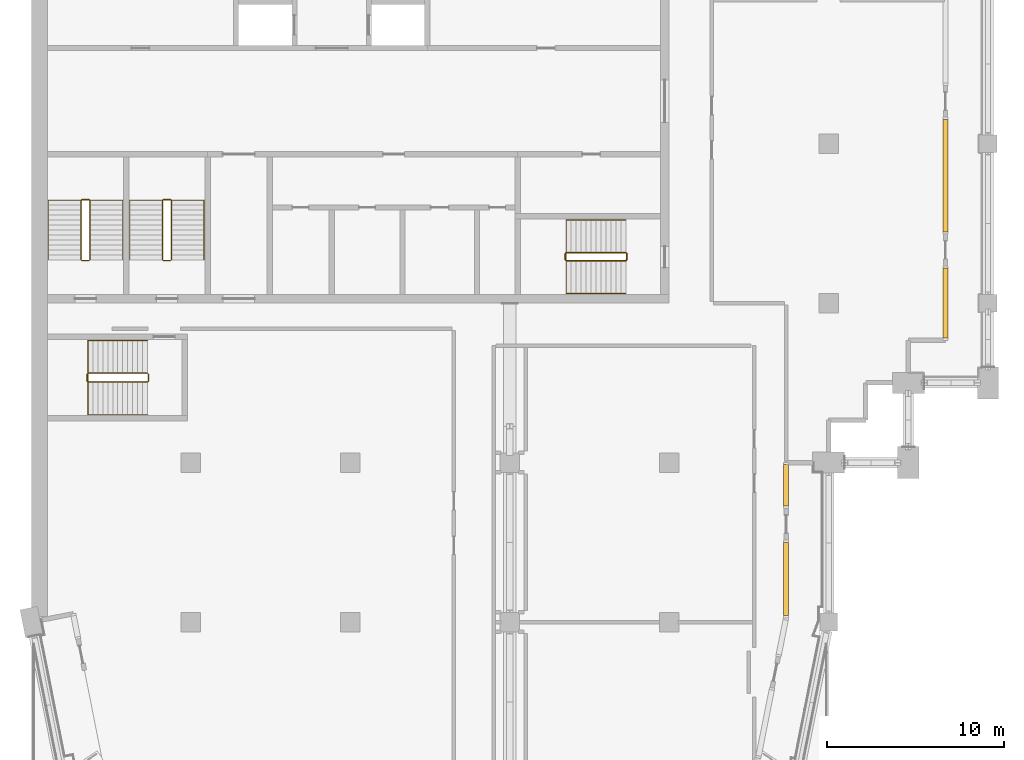
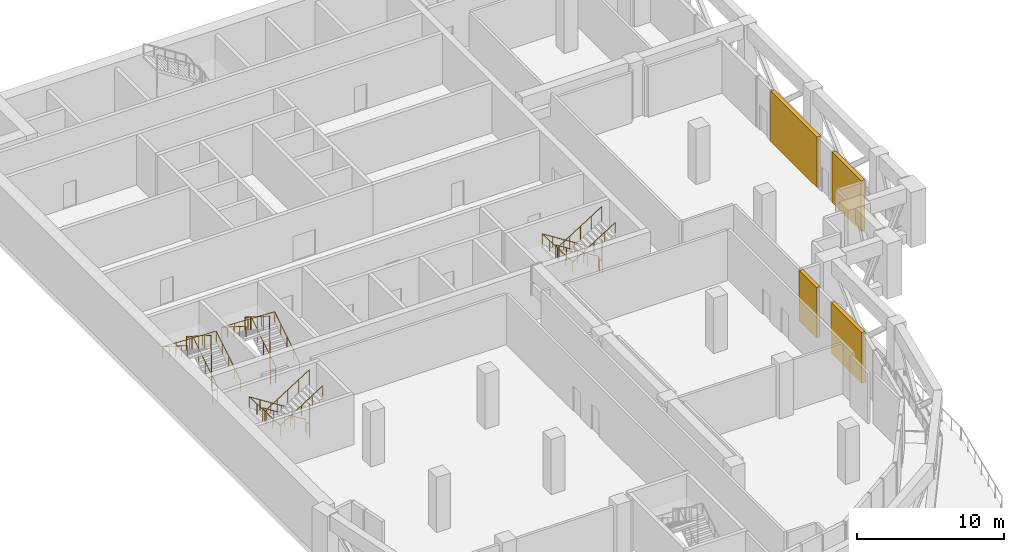
# One storey, part 15 of 16: 8 railings, 4 shading devices.
"""IFC4 building model written with IfcOpenShell, lengths in metres."""

from ifc_helpers import new_model, si_unit, direction, frame, origin, origin_2d, place, context, subcontext, project, spatial, rectangle, circle, extrude, material, layer, layer_set, type_object, element, save


model = new_model("IFC4")

# Units and contexts
model_context = context("Model", 3, precision=1e-05, world=origin(), true_north=direction((0.0, 1.0)))
body_context = subcontext(model_context, "Body", "Model", "MODEL_VIEW")
ifc_project = project(units=[si_unit("LENGTHUNIT", "METRE"), si_unit("AREAUNIT", "SQUARE_METRE"), si_unit("VOLUMEUNIT", "CUBIC_METRE"), si_unit("PLANEANGLEUNIT", "RADIAN"), si_unit("MASSUNIT", "GRAM", prefix="KILO")], contexts=[model_context])

# Site, building, storey
site_placement = place(None, origin())
site = spatial("IfcSite", under=ifc_project, at=site_placement, CompositionType="ELEMENT")
building_placement = place(site_placement, origin())
building = spatial("IfcBuilding", under=site, at=building_placement, Name="Hunhe Ridgeline Campus", CompositionType="ELEMENT")
storey_placement = place(building_placement, frame((0.0, 0.0, 227.199951171875)))
storey = spatial("IfcBuildingStorey", under=building, at=storey_placement, Name="L58", CompositionType="ELEMENT", Elevation=227.199951171875)

# Shading devices
ifc_material_1 = material(Name="Aluminium 6063", Category="aluminium")
ifc_layer = layer(ifc_material_1, 0.300048828125)
ifc_layer_set = layer_set([ifc_layer], Name="Louvre bank 300 Aluminium 6063")
shading_device_type = type_object("IfcShadingDeviceType", Name="Louvre bank 300 Aluminium 6063", PredefinedType="USERDEFINED", material=ifc_layer_set)
shading_device_1_placement = place(storey_placement, frame((42.59912109375, 47.427490234375, 0.0), z_axis=(0.0, 0.0, 1.0), x_axis=(1.9169161e-05, 0.999999999816, 0.0)))
element("IfcShadingDevice", 1, at=shading_device_1_placement, inside=storey, type_object=shading_device_type, Name="Louvre bank 16", ObjectType="LOUVRE", PredefinedType="USERDEFINED", context=body_context, shape_type="SweptSolid", body=[
    extrude(rectangle(XDim=4.14208984375, YDim=0.300048828125, at=origin_2d()), origin(), (0.0, 0.0, 1.0), 4.199951171875),
])
shading_device_2_placement = place(storey_placement, frame((42.59912109375, 52.70947265625, 0.0), z_axis=(0.0, 0.0, 1.0), x_axis=(1.9364533e-05, 0.999999999813, 0.0)))
element("IfcShadingDevice", 2, at=shading_device_2_placement, inside=storey, type_object=shading_device_type, Name="Louvre bank 17", ObjectType="LOUVRE", PredefinedType="USERDEFINED", context=body_context, shape_type="SweptSolid", body=[
    extrude(rectangle(XDim=2.342041015625, YDim=0.300048828125, at=origin_2d()), origin(), (0.0, 0.0, 1.0), 4.199951171875),
])
shading_device_3_placement = place(storey_placement, frame((51.59912109375, 63.0009765625, 0.0), z_axis=(0.0, 0.0, 1.0), x_axis=(0.0, 1.0, 0.0)))
element("IfcShadingDevice", 3, at=shading_device_3_placement, inside=storey, type_object=shading_device_type, Name="Louvre bank 18", ObjectType="LOUVRE", PredefinedType="USERDEFINED", context=body_context, shape_type="SweptSolid", body=[
    extrude(rectangle(XDim=3.9599609375, YDim=0.300048828125, at=origin_2d()), origin(), (0.0, 0.0, 1.0), 4.199951171875),
])
shading_device_4_placement = place(storey_placement, frame((51.59912109375, 70.20068359375, 0.0), z_axis=(0.0, 0.0, 1.0), x_axis=(0.0, 1.0, 0.0)))
element("IfcShadingDevice", 4, at=shading_device_4_placement, inside=storey, type_object=shading_device_type, Name="Louvre bank 19", ObjectType="LOUVRE", PredefinedType="USERDEFINED", context=body_context, shape_type="SweptSolid", body=[
    extrude(rectangle(XDim=6.35986328125, YDim=0.300048828125, at=origin_2d()), origin(), (0.0, 0.0, 1.0), 4.199951171875),
])

# Railings
ifc_material_2 = material(Name="Stainless steel balustrade", Category="steel")
railing_type_1 = type_object("IfcRailingType", Name="Stair guard 1100 stainless", PredefinedType="GUARDRAIL", material=ifc_material_2)
railing_1_placement = place(storey_placement, frame((33.550048828125, 65.85009765625, 0.177001953125)))
element("IfcRailing", 5, at=railing_1_placement, inside=storey, type_object=railing_type_1, Name="L58 stair S2 guard", PredefinedType="GUARDRAIL", context=body_context, shape_type="SweptSolid", body=[
    extrude(circle(Radius=0.02392578125, at=origin_2d()), frame((0.0, 0.0, 1.076171875), z_axis=(-0.845389635667, 0.0, 0.534150132366), x_axis=(0.0, -1.0, 0.0)), (0.0, 0.0, 1.0), 3.974609375),
    extrude(circle(Radius=0.02392578125, at=origin_2d()), frame((-3.360107421875, 0.0, 3.19921875), z_axis=(-0.707106781187, -0.707106781187, 0.0), x_axis=(0.707106781187, -0.707106781187, 0.0)), (0.0, 0.0, 1.0), 0.07080078125),
    extrude(circle(Radius=0.02392578125, at=origin_2d()), frame((-3.41015625, -0.050048828125, 3.19921875), z_axis=(0.0, -1.0, 0.0), x_axis=(1.0, 0.0, 0.0)), (0.0, 0.0, 1.0), 0.35009765625),
    extrude(circle(Radius=0.02392578125, at=origin_2d()), frame((-3.41015625, -0.400146484375, 3.19921875), z_axis=(0.262545553595, -0.262545553595, 0.928514762713), x_axis=(0.707106781187, 0.707106781187, 0.0)), (0.0, 0.0, 1.0), 0.190673828125),
    extrude(circle(Radius=0.02392578125, at=origin_2d()), frame((-3.360107421875, -0.4501953125, 3.3759765625), z_axis=(0.845389635667, 0.0, 0.534150132366), x_axis=(0.0, 1.0, 0.0)), (0.0, 0.0, 1.0), 3.974609375),
    extrude(circle(Radius=0.02392578125, at=origin_2d()), frame((0.0, -0.4501953125, 5.4990234375), z_axis=(0.010878661383, 0.010878661383, -0.999881647723), x_axis=(-0.707106781187, 0.707106781187, 0.0)), (0.0, 0.0, 1.0), 4.6005859375),
    extrude(circle(Radius=0.02392578125, at=origin_2d()), frame((0.050048828125, -0.400146484375, 0.89892578125), z_axis=(0.0, 1.0, 0.0), x_axis=(-1.0, 0.0, 0.0)), (0.0, 0.0, 1.0), 0.35009765625),
    extrude(circle(Radius=0.02099609375, at=origin_2d()), origin(), (0.0, 0.0, 1.0), 1.052001953125),
    extrude(circle(Radius=0.02099609375, at=origin_2d()), frame((-0.840087890625, 0.0, 0.53076171875)), (0.0, 0.0, 1.0), 1.052001953125),
    extrude(circle(Radius=0.02099609375, at=origin_2d()), frame((-1.68017578125, 0.0, 1.0615234375)), (0.0, 0.0, 1.0), 1.052001953125),
    extrude(circle(Radius=0.02099609375, at=origin_2d()), frame((-2.52001953125, 0.0, 1.59228515625)), (0.0, 0.0, 1.0), 1.052001953125),
    extrude(circle(Radius=0.02099609375, at=origin_2d()), frame((-3.360107421875, 0.0, 2.123046875)), (0.0, 0.0, 1.0), 1.052001953125),
    extrude(circle(Radius=0.02099609375, at=origin_2d()), frame((-3.41015625, -0.050048828125, 2.123046875)), (0.0, 0.0, 1.0), 1.052001953125),
    extrude(circle(Radius=0.02099609375, at=origin_2d()), frame((-3.41015625, -0.400146484375, 2.123046875)), (0.0, 0.0, 1.0), 1.052001953125),
    extrude(circle(Radius=0.02099609375, at=origin_2d()), frame((-3.360107421875, -0.4501953125, 2.300048828125)), (0.0, 0.0, 1.0), 1.052001953125),
    extrude(circle(Radius=0.02099609375, at=origin_2d()), frame((-2.52001953125, -0.4501953125, 2.830810546875)), (0.0, 0.0, 1.0), 1.052001953125),
    extrude(circle(Radius=0.02099609375, at=origin_2d()), frame((-1.68017578125, -0.4501953125, 3.361572265625)), (0.0, 0.0, 1.0), 1.052001953125),
    extrude(circle(Radius=0.02099609375, at=origin_2d()), frame((-0.840087890625, -0.4501953125, 3.892333984375)), (0.0, 0.0, 1.0), 1.052001953125),
    extrude(circle(Radius=0.02099609375, at=origin_2d()), frame((0.0, -0.4501953125, 4.423095703125)), (0.0, 0.0, 1.0), 1.052001953125),
    extrude(circle(Radius=0.02099609375, at=origin_2d()), frame((0.012451171875, -0.437744140625, 3.27294921875)), (0.0, 0.0, 1.0), 1.052001953125),
    extrude(circle(Radius=0.02099609375, at=origin_2d()), frame((0.02490234375, -0.42529296875, 2.123046875)), (0.0, 0.0, 1.0), 1.052001953125),
    extrude(circle(Radius=0.02099609375, at=origin_2d()), frame((0.03759765625, -0.41259765625, 0.97314453125)), (0.0, 0.0, 1.0), 1.052001953125),
    extrude(circle(Radius=0.02099609375, at=origin_2d()), frame((0.050048828125, -0.400146484375, -0.177001953125)), (0.0, 0.0, 1.0), 1.052001953125),
    extrude(circle(Radius=0.02099609375, at=origin_2d()), frame((0.050048828125, -0.050048828125, -0.177001953125)), (0.0, 0.0, 1.0), 1.052001953125),
])
railing_2_placement = place(storey_placement, frame((3.300048828125, 65.449951171875, 0.177001953125)))
element("IfcRailing", 6, at=railing_2_placement, inside=storey, type_object=railing_type_1, Name="L58 stair S3 guard", PredefinedType="GUARDRAIL", context=body_context, shape_type="SweptSolid", body=[
    extrude(circle(Radius=0.02392578125, at=origin_2d()), frame((0.0, 0.0, 1.076171875), z_axis=(0.0, 0.845389635667, 0.534150132366), x_axis=(-1.0, 0.0, 0.0)), (0.0, 0.0, 1.0), 3.974609375),
    extrude(circle(Radius=0.02392578125, at=origin_2d()), frame((0.0, 3.360107421875, 3.19921875), z_axis=(-0.707106781187, 0.707106781187, 0.0), x_axis=(-0.707106781187, -0.707106781187, 0.0)), (0.0, 0.0, 1.0), 0.07080078125),
    extrude(circle(Radius=0.02392578125, at=origin_2d()), frame((-0.050048828125, 3.41015625, 3.19921875), z_axis=(-1.0, 0.0, 0.0), x_axis=(0.0, -1.0, 0.0)), (0.0, 0.0, 1.0), 0.39990234375),
    extrude(circle(Radius=0.02392578125, at=origin_2d()), frame((-0.449951171875, 3.41015625, 3.19921875), z_axis=(-0.262545553595, -0.262545553595, 0.928514762713), x_axis=(0.707106781187, -0.707106781187, 0.0)), (0.0, 0.0, 1.0), 0.190673828125),
    extrude(circle(Radius=0.02392578125, at=origin_2d()), frame((-0.5, 3.360107421875, 3.3759765625), z_axis=(0.0, -0.845389635667, 0.534150132366), x_axis=(1.0, 0.0, 0.0)), (0.0, 0.0, 1.0), 3.974609375),
    extrude(circle(Radius=0.02392578125, at=origin_2d()), frame((-0.5, 0.0, 5.4990234375), z_axis=(0.010878661383, -0.010878661383, -0.999881647723), x_axis=(0.707106781187, 0.707106781187, 0.0)), (0.0, 0.0, 1.0), 4.6005859375),
    extrude(circle(Radius=0.02392578125, at=origin_2d()), frame((-0.449951171875, -0.050048828125, 0.89892578125), z_axis=(1.0, 0.0, 0.0), x_axis=(0.0, 1.0, 0.0)), (0.0, 0.0, 1.0), 0.39990234375),
    extrude(circle(Radius=0.02099609375, at=origin_2d()), origin(), (0.0, 0.0, 1.0), 1.052001953125),
    extrude(circle(Radius=0.02099609375, at=origin_2d()), frame((0.0, 0.840087890625, 0.53076171875)), (0.0, 0.0, 1.0), 1.052001953125),
    extrude(circle(Radius=0.02099609375, at=origin_2d()), frame((0.0, 1.68017578125, 1.0615234375)), (0.0, 0.0, 1.0), 1.052001953125),
    extrude(circle(Radius=0.02099609375, at=origin_2d()), frame((0.0, 2.52001953125, 1.59228515625)), (0.0, 0.0, 1.0), 1.052001953125),
    extrude(circle(Radius=0.02099609375, at=origin_2d()), frame((0.0, 3.360107421875, 2.123046875)), (0.0, 0.0, 1.0), 1.052001953125),
    extrude(circle(Radius=0.02099609375, at=origin_2d()), frame((-0.050048828125, 3.41015625, 2.123046875)), (0.0, 0.0, 1.0), 1.052001953125),
    extrude(circle(Radius=0.02099609375, at=origin_2d()), frame((-0.449951171875, 3.41015625, 2.123046875)), (0.0, 0.0, 1.0), 1.052001953125),
    extrude(circle(Radius=0.02099609375, at=origin_2d()), frame((-0.5, 3.360107421875, 2.300048828125)), (0.0, 0.0, 1.0), 1.052001953125),
    extrude(circle(Radius=0.02099609375, at=origin_2d()), frame((-0.5, 2.52001953125, 2.830810546875)), (0.0, 0.0, 1.0), 1.052001953125),
    extrude(circle(Radius=0.02099609375, at=origin_2d()), frame((-0.5, 1.68017578125, 3.361572265625)), (0.0, 0.0, 1.0), 1.052001953125),
    extrude(circle(Radius=0.02099609375, at=origin_2d()), frame((-0.5, 0.840087890625, 3.892333984375)), (0.0, 0.0, 1.0), 1.052001953125),
    extrude(circle(Radius=0.02099609375, at=origin_2d()), frame((-0.5, 0.0, 4.423095703125)), (0.0, 0.0, 1.0), 1.052001953125),
    extrude(circle(Radius=0.02099609375, at=origin_2d()), frame((-0.487548828125, -0.012451171875, 3.27294921875)), (0.0, 0.0, 1.0), 1.052001953125),
    extrude(circle(Radius=0.02099609375, at=origin_2d()), frame((-0.47509765625, -0.02490234375, 2.123046875)), (0.0, 0.0, 1.0), 1.052001953125),
    extrude(circle(Radius=0.02099609375, at=origin_2d()), frame((-0.46240234375, -0.03759765625, 0.97314453125)), (0.0, 0.0, 1.0), 1.052001953125),
    extrude(circle(Radius=0.02099609375, at=origin_2d()), frame((-0.449951171875, -0.050048828125, -0.177001953125)), (0.0, 0.0, 1.0), 1.052001953125),
    extrude(circle(Radius=0.02099609375, at=origin_2d()), frame((-0.050048828125, -0.050048828125, -0.177001953125)), (0.0, 0.0, 1.0), 1.052001953125),
])
railing_3_placement = place(storey_placement, frame((7.89990234375, 65.449951171875, 0.177001953125)))
element("IfcRailing", 7, at=railing_3_placement, inside=storey, type_object=railing_type_1, Name="L58 stair S4 guard", PredefinedType="GUARDRAIL", context=body_context, shape_type="SweptSolid", body=[
    extrude(circle(Radius=0.02392578125, at=origin_2d()), frame((0.0, 0.0, 1.076171875), z_axis=(0.0, 0.845389635667, 0.534150132366), x_axis=(-1.0, 0.0, 0.0)), (0.0, 0.0, 1.0), 3.974609375),
    extrude(circle(Radius=0.02392578125, at=origin_2d()), frame((0.0, 3.360107421875, 3.19921875), z_axis=(-0.705375805398, 0.708833529934, 0.0), x_axis=(-0.708833529934, -0.705375805398, 0.0)), (0.0, 0.0, 1.0), 0.070556640625),
    extrude(circle(Radius=0.02392578125, at=origin_2d()), frame((-0.0498046875, 3.41015625, 3.19921875), z_axis=(-1.0, 0.0, 0.0), x_axis=(0.0, -1.0, 0.0)), (0.0, 0.0, 1.0), 0.400146484375),
    extrude(circle(Radius=0.02392578125, at=origin_2d()), frame((-0.449951171875, 3.41015625, 3.19921875), z_axis=(-0.262545553595, -0.262545553595, 0.928514762713), x_axis=(0.707106781187, -0.707106781187, 0.0)), (0.0, 0.0, 1.0), 0.190673828125),
    extrude(circle(Radius=0.02392578125, at=origin_2d()), frame((-0.5, 3.360107421875, 3.3759765625), z_axis=(0.0, -0.845389635667, 0.534150132366), x_axis=(1.0, 0.0, 0.0)), (0.0, 0.0, 1.0), 3.974609375),
    extrude(circle(Radius=0.02392578125, at=origin_2d()), frame((-0.5, 0.0, 5.4990234375), z_axis=(0.010878661383, -0.010878661383, -0.999881647723), x_axis=(0.707106781187, 0.707106781187, 0.0)), (0.0, 0.0, 1.0), 4.6005859375),
    extrude(circle(Radius=0.02392578125, at=origin_2d()), frame((-0.449951171875, -0.050048828125, 0.89892578125), z_axis=(1.0, 0.0, 0.0), x_axis=(0.0, 1.0, 0.0)), (0.0, 0.0, 1.0), 0.400146484375),
    extrude(circle(Radius=0.02099609375, at=origin_2d()), origin(), (0.0, 0.0, 1.0), 1.052001953125),
    extrude(circle(Radius=0.02099609375, at=origin_2d()), frame((0.0, 0.840087890625, 0.53076171875)), (0.0, 0.0, 1.0), 1.052001953125),
    extrude(circle(Radius=0.02099609375, at=origin_2d()), frame((0.0, 1.68017578125, 1.0615234375)), (0.0, 0.0, 1.0), 1.052001953125),
    extrude(circle(Radius=0.02099609375, at=origin_2d()), frame((0.0, 2.52001953125, 1.59228515625)), (0.0, 0.0, 1.0), 1.052001953125),
    extrude(circle(Radius=0.02099609375, at=origin_2d()), frame((0.0, 3.360107421875, 2.123046875)), (0.0, 0.0, 1.0), 1.052001953125),
    extrude(circle(Radius=0.02099609375, at=origin_2d()), frame((-0.0498046875, 3.41015625, 2.123046875)), (0.0, 0.0, 1.0), 1.052001953125),
    extrude(circle(Radius=0.02099609375, at=origin_2d()), frame((-0.449951171875, 3.41015625, 2.123046875)), (0.0, 0.0, 1.0), 1.052001953125),
    extrude(circle(Radius=0.02099609375, at=origin_2d()), frame((-0.5, 3.360107421875, 2.300048828125)), (0.0, 0.0, 1.0), 1.052001953125),
    extrude(circle(Radius=0.02099609375, at=origin_2d()), frame((-0.5, 2.52001953125, 2.830810546875)), (0.0, 0.0, 1.0), 1.052001953125),
    extrude(circle(Radius=0.02099609375, at=origin_2d()), frame((-0.5, 1.68017578125, 3.361572265625)), (0.0, 0.0, 1.0), 1.052001953125),
    extrude(circle(Radius=0.02099609375, at=origin_2d()), frame((-0.5, 0.840087890625, 3.892333984375)), (0.0, 0.0, 1.0), 1.052001953125),
    extrude(circle(Radius=0.02099609375, at=origin_2d()), frame((-0.5, 0.0, 4.423095703125)), (0.0, 0.0, 1.0), 1.052001953125),
    extrude(circle(Radius=0.02099609375, at=origin_2d()), frame((-0.487548828125, -0.012451171875, 3.27294921875)), (0.0, 0.0, 1.0), 1.052001953125),
    extrude(circle(Radius=0.02099609375, at=origin_2d()), frame((-0.47509765625, -0.02490234375, 2.123046875)), (0.0, 0.0, 1.0), 1.052001953125),
    extrude(circle(Radius=0.02099609375, at=origin_2d()), frame((-0.46240234375, -0.03759765625, 0.97314453125)), (0.0, 0.0, 1.0), 1.052001953125),
    extrude(circle(Radius=0.02099609375, at=origin_2d()), frame((-0.449951171875, -0.050048828125, -0.177001953125)), (0.0, 0.0, 1.0), 1.052001953125),
    extrude(circle(Radius=0.02099609375, at=origin_2d()), frame((-0.0498046875, -0.050048828125, -0.177001953125)), (0.0, 0.0, 1.0), 1.052001953125),
])
railing_4_placement = place(storey_placement, frame((6.550048828125, 59.050048828125, 0.177001953125)))
element("IfcRailing", 8, at=railing_4_placement, inside=storey, type_object=railing_type_1, Name="L58 stair W2 guard", PredefinedType="GUARDRAIL", context=body_context, shape_type="SweptSolid", body=[
    extrude(circle(Radius=0.02392578125, at=origin_2d()), frame((0.0, 0.0, 1.076171875), z_axis=(-0.845389635667, 0.0, 0.534150132366), x_axis=(0.0, -1.0, 0.0)), (0.0, 0.0, 1.0), 3.974609375),
    extrude(circle(Radius=0.02392578125, at=origin_2d()), frame((-3.360107421875, 0.0, 3.19921875), z_axis=(-0.707106781187, -0.707106781187, 0.0), x_axis=(0.707106781187, -0.707106781187, 0.0)), (0.0, 0.0, 1.0), 0.07080078125),
    extrude(circle(Radius=0.02392578125, at=origin_2d()), frame((-3.41015625, -0.050048828125, 3.19921875), z_axis=(0.0, -1.0, 0.0), x_axis=(1.0, 0.0, 0.0)), (0.0, 0.0, 1.0), 0.39990234375),
    extrude(circle(Radius=0.02392578125, at=origin_2d()), frame((-3.41015625, -0.449951171875, 3.19921875), z_axis=(0.262545553595, -0.262545553595, 0.928514762713), x_axis=(0.707106781187, 0.707106781187, 0.0)), (0.0, 0.0, 1.0), 0.190673828125),
    extrude(circle(Radius=0.02392578125, at=origin_2d()), frame((-3.360107421875, -0.5, 3.3759765625), z_axis=(0.845389635667, 0.0, 0.534150132366), x_axis=(0.0, 1.0, 0.0)), (0.0, 0.0, 1.0), 3.974609375),
    extrude(circle(Radius=0.02392578125, at=origin_2d()), frame((0.0, -0.5, 5.4990234375), z_axis=(0.010878661383, 0.010878661383, -0.999881647723), x_axis=(-0.707106781187, 0.707106781187, 0.0)), (0.0, 0.0, 1.0), 4.6005859375),
    extrude(circle(Radius=0.02392578125, at=origin_2d()), frame((0.050048828125, -0.449951171875, 0.89892578125), z_axis=(0.0, 1.0, 0.0), x_axis=(-1.0, 0.0, 0.0)), (0.0, 0.0, 1.0), 0.39990234375),
    extrude(circle(Radius=0.02099609375, at=origin_2d()), origin(), (0.0, 0.0, 1.0), 1.052001953125),
    extrude(circle(Radius=0.02099609375, at=origin_2d()), frame((-0.840087890625, 0.0, 0.53076171875)), (0.0, 0.0, 1.0), 1.052001953125),
    extrude(circle(Radius=0.02099609375, at=origin_2d()), frame((-1.68017578125, 0.0, 1.0615234375)), (0.0, 0.0, 1.0), 1.052001953125),
    extrude(circle(Radius=0.02099609375, at=origin_2d()), frame((-2.52001953125, 0.0, 1.59228515625)), (0.0, 0.0, 1.0), 1.052001953125),
    extrude(circle(Radius=0.02099609375, at=origin_2d()), frame((-3.360107421875, 0.0, 2.123046875)), (0.0, 0.0, 1.0), 1.052001953125),
    extrude(circle(Radius=0.02099609375, at=origin_2d()), frame((-3.41015625, -0.050048828125, 2.123046875)), (0.0, 0.0, 1.0), 1.052001953125),
    extrude(circle(Radius=0.02099609375, at=origin_2d()), frame((-3.41015625, -0.449951171875, 2.123046875)), (0.0, 0.0, 1.0), 1.052001953125),
    extrude(circle(Radius=0.02099609375, at=origin_2d()), frame((-3.360107421875, -0.5, 2.300048828125)), (0.0, 0.0, 1.0), 1.052001953125),
    extrude(circle(Radius=0.02099609375, at=origin_2d()), frame((-2.52001953125, -0.5, 2.830810546875)), (0.0, 0.0, 1.0), 1.052001953125),
    extrude(circle(Radius=0.02099609375, at=origin_2d()), frame((-1.68017578125, -0.5, 3.361572265625)), (0.0, 0.0, 1.0), 1.052001953125),
    extrude(circle(Radius=0.02099609375, at=origin_2d()), frame((-0.840087890625, -0.5, 3.892333984375)), (0.0, 0.0, 1.0), 1.052001953125),
    extrude(circle(Radius=0.02099609375, at=origin_2d()), frame((0.0, -0.5, 4.423095703125)), (0.0, 0.0, 1.0), 1.052001953125),
    extrude(circle(Radius=0.02099609375, at=origin_2d()), frame((0.012451171875, -0.487548828125, 3.27294921875)), (0.0, 0.0, 1.0), 1.052001953125),
    extrude(circle(Radius=0.02099609375, at=origin_2d()), frame((0.02490234375, -0.47509765625, 2.123046875)), (0.0, 0.0, 1.0), 1.052001953125),
    extrude(circle(Radius=0.02099609375, at=origin_2d()), frame((0.03759765625, -0.46240234375, 0.97314453125)), (0.0, 0.0, 1.0), 1.052001953125),
    extrude(circle(Radius=0.02099609375, at=origin_2d()), frame((0.050048828125, -0.449951171875, -0.177001953125)), (0.0, 0.0, 1.0), 1.052001953125),
    extrude(circle(Radius=0.02099609375, at=origin_2d()), frame((0.050048828125, -0.050048828125, -0.177001953125)), (0.0, 0.0, 1.0), 1.052001953125),
])
ifc_material_3 = material(Name="Stainless steel handrail", Category="steel")
railing_type_2 = type_object("IfcRailingType", Name="Stair handrail 900 stainless", PredefinedType="HANDRAIL", material=ifc_material_3)
railing_5_placement = place(storey_placement, frame((33.550048828125, 67.699951171875, 0.177001953125)))
element("IfcRailing", 9, at=railing_5_placement, inside=storey, type_object=railing_type_2, Name="L58 stair S2 handrail", PredefinedType="HANDRAIL", context=body_context, shape_type="SweptSolid", body=[
    extrude(circle(Radius=0.02392578125, at=origin_2d()), frame((0.0, 0.0, 0.8759765625), z_axis=(-0.845389635667, 0.0, 0.534150132366), x_axis=(0.0, -1.0, 0.0)), (0.0, 0.0, 1.0), 3.974609375),
    extrude(circle(Radius=0.02392578125, at=origin_2d()), frame((-3.360107421875, 0.0, 2.9990234375), z_axis=(0.0, -0.999091639355, 0.042613333247), x_axis=(1.0, 0.0, 0.0)), (0.0, 0.0, 1.0), 4.153564453125),
    extrude(circle(Radius=0.02392578125, at=origin_2d()), frame((-3.360107421875, -4.14990234375, 3.17578125), z_axis=(0.845389635667, 0.0, 0.534150132366), x_axis=(0.0, 1.0, 0.0)), (0.0, 0.0, 1.0), 3.974609375),
    extrude(circle(Radius=0.02099609375, at=origin_2d()), origin(), (0.0, 0.0, 1.0), 0.851806640625),
    extrude(circle(Radius=0.02099609375, at=origin_2d()), frame((-0.840087890625, 0.0, 0.53076171875)), (0.0, 0.0, 1.0), 0.851806640625),
    extrude(circle(Radius=0.02099609375, at=origin_2d()), frame((-1.68017578125, 0.0, 1.0615234375)), (0.0, 0.0, 1.0), 0.851806640625),
    extrude(circle(Radius=0.02099609375, at=origin_2d()), frame((-2.52001953125, 0.0, 1.59228515625)), (0.0, 0.0, 1.0), 0.851806640625),
    extrude(circle(Radius=0.02099609375, at=origin_2d()), frame((-3.360107421875, 0.0, 2.123046875)), (0.0, 0.0, 1.0), 0.851806640625),
    extrude(circle(Radius=0.02099609375, at=origin_2d()), frame((-3.360107421875, -1.03759765625, 2.167236328125)), (0.0, 0.0, 1.0), 0.851806640625),
    extrude(circle(Radius=0.02099609375, at=origin_2d()), frame((-3.360107421875, -2.074951171875, 2.21142578125)), (0.0, 0.0, 1.0), 0.851806640625),
    extrude(circle(Radius=0.02099609375, at=origin_2d()), frame((-3.360107421875, -3.1123046875, 2.255859375)), (0.0, 0.0, 1.0), 0.851806640625),
    extrude(circle(Radius=0.02099609375, at=origin_2d()), frame((-3.360107421875, -4.14990234375, 2.300048828125)), (0.0, 0.0, 1.0), 0.851806640625),
    extrude(circle(Radius=0.02099609375, at=origin_2d()), frame((-2.52001953125, -4.14990234375, 2.830810546875)), (0.0, 0.0, 1.0), 0.851806640625),
    extrude(circle(Radius=0.02099609375, at=origin_2d()), frame((-1.68017578125, -4.14990234375, 3.361572265625)), (0.0, 0.0, 1.0), 0.851806640625),
    extrude(circle(Radius=0.02099609375, at=origin_2d()), frame((-0.840087890625, -4.14990234375, 3.892333984375)), (0.0, 0.0, 1.0), 0.851806640625),
    extrude(circle(Radius=0.02099609375, at=origin_2d()), frame((0.0, -4.14990234375, 4.423095703125)), (0.0, 0.0, 1.0), 0.851806640625),
])
railing_6_placement = place(storey_placement, frame((5.14990234375, 65.449951171875, 0.177001953125)))
element("IfcRailing", 10, at=railing_6_placement, inside=storey, type_object=railing_type_2, Name="L58 stair S3 handrail", PredefinedType="HANDRAIL", context=body_context, shape_type="SweptSolid", body=[
    extrude(circle(Radius=0.02392578125, at=origin_2d()), frame((0.0, 0.0, 0.8759765625), z_axis=(0.0, 0.845389635667, 0.534150132366), x_axis=(-1.0, 0.0, 0.0)), (0.0, 0.0, 1.0), 3.974609375),
    extrude(circle(Radius=0.02392578125, at=origin_2d()), frame((0.0, 3.360107421875, 2.9990234375), z_axis=(-0.999113130752, 0.0, 0.042106436075), x_axis=(0.0, -1.0, 0.0)), (0.0, 0.0, 1.0), 4.20361328125),
    extrude(circle(Radius=0.02392578125, at=origin_2d()), frame((-4.199951171875, 3.360107421875, 3.17578125), z_axis=(0.0, -0.845389635667, 0.534150132366), x_axis=(1.0, 0.0, 0.0)), (0.0, 0.0, 1.0), 3.974609375),
    extrude(circle(Radius=0.02099609375, at=origin_2d()), origin(), (0.0, 0.0, 1.0), 0.851806640625),
    extrude(circle(Radius=0.02099609375, at=origin_2d()), frame((0.0, 0.840087890625, 0.53076171875)), (0.0, 0.0, 1.0), 0.851806640625),
    extrude(circle(Radius=0.02099609375, at=origin_2d()), frame((0.0, 1.68017578125, 1.0615234375)), (0.0, 0.0, 1.0), 0.851806640625),
    extrude(circle(Radius=0.02099609375, at=origin_2d()), frame((0.0, 2.52001953125, 1.59228515625)), (0.0, 0.0, 1.0), 0.851806640625),
    extrude(circle(Radius=0.02099609375, at=origin_2d()), frame((0.0, 3.360107421875, 2.123046875)), (0.0, 0.0, 1.0), 0.851806640625),
    extrude(circle(Radius=0.02099609375, at=origin_2d()), frame((-1.050048828125, 3.360107421875, 2.167236328125)), (0.0, 0.0, 1.0), 0.851806640625),
    extrude(circle(Radius=0.02099609375, at=origin_2d()), frame((-2.10009765625, 3.360107421875, 2.21142578125)), (0.0, 0.0, 1.0), 0.851806640625),
    extrude(circle(Radius=0.02099609375, at=origin_2d()), frame((-3.14990234375, 3.360107421875, 2.255859375)), (0.0, 0.0, 1.0), 0.851806640625),
    extrude(circle(Radius=0.02099609375, at=origin_2d()), frame((-4.199951171875, 3.360107421875, 2.300048828125)), (0.0, 0.0, 1.0), 0.851806640625),
    extrude(circle(Radius=0.02099609375, at=origin_2d()), frame((-4.199951171875, 2.52001953125, 2.830810546875)), (0.0, 0.0, 1.0), 0.851806640625),
    extrude(circle(Radius=0.02099609375, at=origin_2d()), frame((-4.199951171875, 1.68017578125, 3.361572265625)), (0.0, 0.0, 1.0), 0.851806640625),
    extrude(circle(Radius=0.02099609375, at=origin_2d()), frame((-4.199951171875, 0.840087890625, 3.892333984375)), (0.0, 0.0, 1.0), 0.851806640625),
    extrude(circle(Radius=0.02099609375, at=origin_2d()), frame((-4.199951171875, 0.0, 4.423095703125)), (0.0, 0.0, 1.0), 0.851806640625),
])
railing_7_placement = place(storey_placement, frame((9.75, 65.449951171875, 0.177001953125)))
element("IfcRailing", 11, at=railing_7_placement, inside=storey, type_object=railing_type_2, Name="L58 stair S4 handrail", PredefinedType="HANDRAIL", context=body_context, shape_type="SweptSolid", body=[
    extrude(circle(Radius=0.02392578125, at=origin_2d()), frame((0.0, 0.0, 0.8759765625), z_axis=(0.0, 0.845389635667, 0.534150132366), x_axis=(-1.0, 0.0, 0.0)), (0.0, 0.0, 1.0), 3.974609375),
    extrude(circle(Radius=0.02392578125, at=origin_2d()), frame((0.0, 3.360107421875, 2.9990234375), z_axis=(-0.999113130752, 0.0, 0.042106436075), x_axis=(0.0, -1.0, 0.0)), (0.0, 0.0, 1.0), 4.20361328125),
    extrude(circle(Radius=0.02392578125, at=origin_2d()), frame((-4.199951171875, 3.360107421875, 3.17578125), z_axis=(0.0, -0.845389635667, 0.534150132366), x_axis=(1.0, 0.0, 0.0)), (0.0, 0.0, 1.0), 3.974609375),
    extrude(circle(Radius=0.02099609375, at=origin_2d()), origin(), (0.0, 0.0, 1.0), 0.851806640625),
    extrude(circle(Radius=0.02099609375, at=origin_2d()), frame((0.0, 0.840087890625, 0.53076171875)), (0.0, 0.0, 1.0), 0.851806640625),
    extrude(circle(Radius=0.02099609375, at=origin_2d()), frame((0.0, 1.68017578125, 1.0615234375)), (0.0, 0.0, 1.0), 0.851806640625),
    extrude(circle(Radius=0.02099609375, at=origin_2d()), frame((0.0, 2.52001953125, 1.59228515625)), (0.0, 0.0, 1.0), 0.851806640625),
    extrude(circle(Radius=0.02099609375, at=origin_2d()), frame((0.0, 3.360107421875, 2.123046875)), (0.0, 0.0, 1.0), 0.851806640625),
    extrude(circle(Radius=0.02099609375, at=origin_2d()), frame((-1.050048828125, 3.360107421875, 2.167236328125)), (0.0, 0.0, 1.0), 0.851806640625),
    extrude(circle(Radius=0.02099609375, at=origin_2d()), frame((-2.10009765625, 3.360107421875, 2.21142578125)), (0.0, 0.0, 1.0), 0.851806640625),
    extrude(circle(Radius=0.02099609375, at=origin_2d()), frame((-3.14990234375, 3.360107421875, 2.255859375)), (0.0, 0.0, 1.0), 0.851806640625),
    extrude(circle(Radius=0.02099609375, at=origin_2d()), frame((-4.199951171875, 3.360107421875, 2.300048828125)), (0.0, 0.0, 1.0), 0.851806640625),
    extrude(circle(Radius=0.02099609375, at=origin_2d()), frame((-4.199951171875, 2.52001953125, 2.830810546875)), (0.0, 0.0, 1.0), 0.851806640625),
    extrude(circle(Radius=0.02099609375, at=origin_2d()), frame((-4.199951171875, 1.68017578125, 3.361572265625)), (0.0, 0.0, 1.0), 0.851806640625),
    extrude(circle(Radius=0.02099609375, at=origin_2d()), frame((-4.199951171875, 0.840087890625, 3.892333984375)), (0.0, 0.0, 1.0), 0.851806640625),
    extrude(circle(Radius=0.02099609375, at=origin_2d()), frame((-4.199951171875, 0.0, 4.423095703125)), (0.0, 0.0, 1.0), 0.851806640625),
])
railing_8_placement = place(storey_placement, frame((6.550048828125, 60.89990234375, 0.177001953125)))
element("IfcRailing", 12, at=railing_8_placement, inside=storey, type_object=railing_type_2, Name="L58 stair W2 handrail", PredefinedType="HANDRAIL", context=body_context, shape_type="SweptSolid", body=[
    extrude(circle(Radius=0.02392578125, at=origin_2d()), frame((0.0, 0.0, 0.8759765625), z_axis=(-0.845389635667, 0.0, 0.534150132366), x_axis=(0.0, -1.0, 0.0)), (0.0, 0.0, 1.0), 3.974609375),
    extrude(circle(Radius=0.02392578125, at=origin_2d()), frame((-3.360107421875, 0.0, 2.9990234375), z_axis=(0.0, -0.999113130752, 0.042106436075), x_axis=(1.0, 0.0, 0.0)), (0.0, 0.0, 1.0), 4.20361328125),
    extrude(circle(Radius=0.02392578125, at=origin_2d()), frame((-3.360107421875, -4.199951171875, 3.17578125), z_axis=(0.845389635667, 0.0, 0.534150132366), x_axis=(0.0, 1.0, 0.0)), (0.0, 0.0, 1.0), 3.974609375),
    extrude(circle(Radius=0.02099609375, at=origin_2d()), origin(), (0.0, 0.0, 1.0), 0.851806640625),
    extrude(circle(Radius=0.02099609375, at=origin_2d()), frame((-0.840087890625, 0.0, 0.53076171875)), (0.0, 0.0, 1.0), 0.851806640625),
    extrude(circle(Radius=0.02099609375, at=origin_2d()), frame((-1.68017578125, 0.0, 1.0615234375)), (0.0, 0.0, 1.0), 0.851806640625),
    extrude(circle(Radius=0.02099609375, at=origin_2d()), frame((-2.52001953125, 0.0, 1.59228515625)), (0.0, 0.0, 1.0), 0.851806640625),
    extrude(circle(Radius=0.02099609375, at=origin_2d()), frame((-3.360107421875, 0.0, 2.123046875)), (0.0, 0.0, 1.0), 0.851806640625),
    extrude(circle(Radius=0.02099609375, at=origin_2d()), frame((-3.360107421875, -1.050048828125, 2.167236328125)), (0.0, 0.0, 1.0), 0.851806640625),
    extrude(circle(Radius=0.02099609375, at=origin_2d()), frame((-3.360107421875, -2.10009765625, 2.21142578125)), (0.0, 0.0, 1.0), 0.851806640625),
    extrude(circle(Radius=0.02099609375, at=origin_2d()), frame((-3.360107421875, -3.14990234375, 2.255859375)), (0.0, 0.0, 1.0), 0.851806640625),
    extrude(circle(Radius=0.02099609375, at=origin_2d()), frame((-3.360107421875, -4.199951171875, 2.300048828125)), (0.0, 0.0, 1.0), 0.851806640625),
    extrude(circle(Radius=0.02099609375, at=origin_2d()), frame((-2.52001953125, -4.199951171875, 2.830810546875)), (0.0, 0.0, 1.0), 0.851806640625),
    extrude(circle(Radius=0.02099609375, at=origin_2d()), frame((-1.68017578125, -4.199951171875, 3.361572265625)), (0.0, 0.0, 1.0), 0.851806640625),
    extrude(circle(Radius=0.02099609375, at=origin_2d()), frame((-0.840087890625, -4.199951171875, 3.892333984375)), (0.0, 0.0, 1.0), 0.851806640625),
    extrude(circle(Radius=0.02099609375, at=origin_2d()), frame((0.0, -4.199951171875, 4.423095703125)), (0.0, 0.0, 1.0), 0.851806640625),
])

save(model, "model.ifc")
